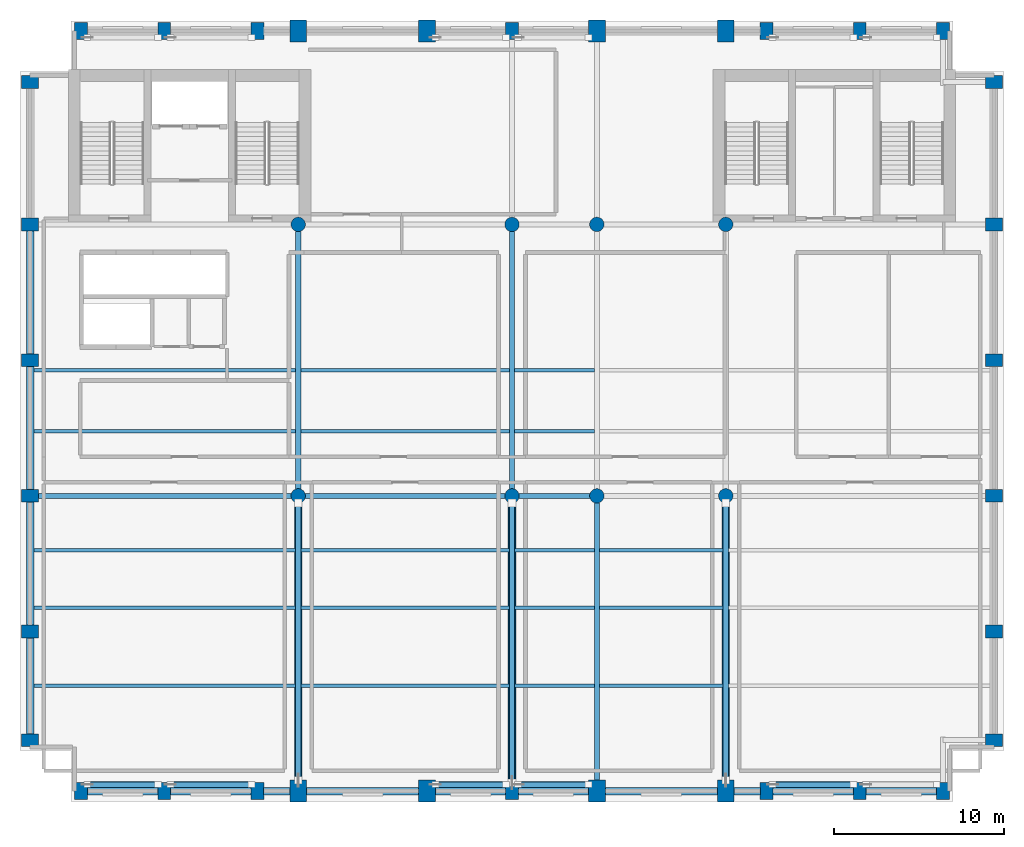
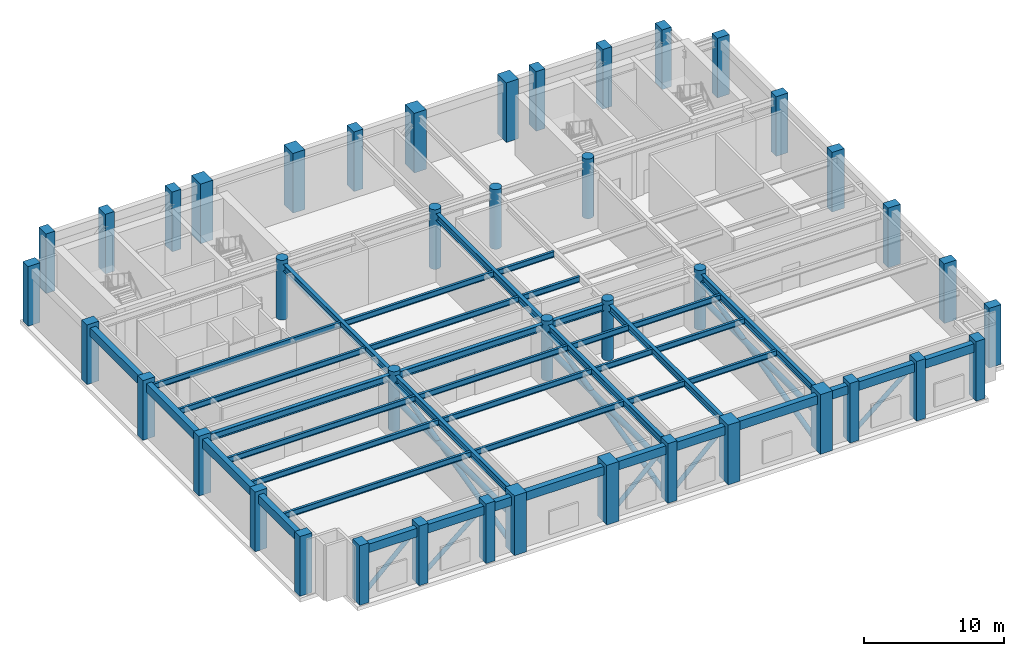
# One storey, part 1 of 11: 42 columns, 41 beams, 11 members.
"""IFC4 building model written with IfcOpenShell, lengths in metres."""

import ifcopenshell
import ifcopenshell.guid

model = None  # the IFC model being written
_history = None  # IfcOwnerHistory: only IFC2X3 demands one
_inside = {}  # id of a spatial element -> (the spatial element, [elements in it])
_under = {}  # id of a project, library or spatial element -> (it, [spatial elements below it])
_declared = {}  # id of a project -> (the project, [libraries it declares])
_typed = {}  # id of a type object -> (the type object, [elements of that type])
_made_of = {}  # id of a material, layer set ... -> (it, [elements and type objects made of it])


def new_model(schema):
    """Start an empty IFC model of exactly this schema.

    Asked for "IFC4X3", IfcOpenShell would pick the latest addendum, in which some entities
    have other attributes; the version numbers below select the first issue.
    IFC2X3 requires an IfcOwnerHistory on every rooted entity: one is made here for all.
    """
    global model, _history
    if schema == "IFC4X3":
        model = ifcopenshell.file(schema_version=(4, 3, 0, 0))
    else:
        model = ifcopenshell.file(schema=schema)
    _inside.clear()
    _under.clear()
    _declared.clear()
    _typed.clear()
    _made_of.clear()
    _history = None
    if model.schema == "IFC2X3":
        org = make("IfcOrganization", Name="unknown")
        user = make(
            "IfcPersonAndOrganization",
            ThePerson=make("IfcPerson", FamilyName="unknown"),
            TheOrganization=org,
        )
        app = make(
            "IfcApplication",
            ApplicationDeveloper=org,
            Version="unknown",
            ApplicationFullName="unknown",
            ApplicationIdentifier="unknown",
        )
        _history = make(
            "IfcOwnerHistory",
            OwningUser=user,
            OwningApplication=app,
            ChangeAction="ADDED",
            CreationDate=0,
        )
    return model


def make(cls, **values):
    """One entity of the class cls with the attributes given. An attribute that is None is left unset."""
    return model.create_entity(
        cls, **{name: value for name, value in values.items() if value is not None}
    )


def rooted(cls, **values):
    """An entity with a GlobalId (a new one), such as an element, a storey or a relation."""
    return make(cls, GlobalId=ifcopenshell.guid.new(), OwnerHistory=_history, **values)


def si_unit(unit_type, name, prefix=None):
    """IfcSIUnit, for example si_unit("LENGTHUNIT", "METRE", prefix="MILLI")."""
    return make("IfcSIUnit", UnitType=unit_type, Prefix=prefix, Name=name)


def assignment(units):
    """IfcUnitAssignment: the units of a project."""
    return None if units is None else make("IfcUnitAssignment", Units=units)


def point(xyz):
    """IfcCartesianPoint."""
    return None if xyz is None else make("IfcCartesianPoint", Coordinates=xyz)


def direction(xyz):
    """IfcDirection."""
    return None if xyz is None else make("IfcDirection", DirectionRatios=xyz)


def frame(location, z_axis=None, x_axis=None):
    """IfcAxis2Placement3D, a coordinate frame: its origin and axes. An axis left out is left unset."""
    return make(
        "IfcAxis2Placement3D",
        Location=point(location),
        Axis=direction(z_axis),
        RefDirection=direction(x_axis),
    )


def frame_2d(location, x_axis=None):
    """IfcAxis2Placement2D, a coordinate frame in the plane: its origin and x axis."""
    return make(
        "IfcAxis2Placement2D", Location=point(location), RefDirection=direction(x_axis)
    )


def origin():
    """The frame at (0, 0, 0) with its axes left unset."""
    return frame((0.0, 0.0, 0.0))


def origin_2d():
    """The frame at (0, 0) in the plane with its x axis left unset."""
    return frame_2d((0.0, 0.0))


def place(relative_to, where):
    """IfcLocalPlacement: puts the frame where relative to a parent placement (None: the world)."""
    return make(
        "IfcLocalPlacement", PlacementRelTo=relative_to, RelativePlacement=where
    )


def context(
    kind, dimensions, precision=None, world=None, true_north=None, identifier=None
):
    """IfcGeometricRepresentationContext, for example the 3D "Model" context."""
    return make(
        "IfcGeometricRepresentationContext",
        ContextIdentifier=identifier,
        ContextType=kind,
        CoordinateSpaceDimension=dimensions,
        Precision=precision,
        WorldCoordinateSystem=world,
        TrueNorth=true_north,
    )


def subcontext(parent, identifier, kind, view, scale=None):
    """IfcGeometricRepresentationSubContext, for example "Body" below "Model"."""
    return make(
        "IfcGeometricRepresentationSubContext",
        ContextIdentifier=identifier,
        ContextType=kind,
        ParentContext=parent,
        TargetScale=scale,
        TargetView=view,
    )


def project(units=None, contexts=None):
    """IfcProject with its units and contexts."""
    return rooted(
        "IfcProject",
        Name="project",
        RepresentationContexts=contexts,
        UnitsInContext=assignment(units),
    )


def spatial(cls, under=None, at=None, **own):
    """A site, building, storey or space (cls), placed at a placement, below another one or the project."""
    s = rooted(cls, ObjectPlacement=at, **own)
    if under is not None:
        _under.setdefault(under.id(), (under, []))[1].append(s)
    return s


def profile(cls, at=None, kind="AREA", **sizes):
    """A parametric profile (cls). Its sizes go by their IFC names, for example OverallWidth=200.0."""
    return make(cls, ProfileType=kind, Position=at, **sizes)


def rectangle(**sizes):
    """IfcRectangleProfileDef."""
    return profile("IfcRectangleProfileDef", **sizes)


def circle(**sizes):
    """IfcCircleProfileDef."""
    return profile("IfcCircleProfileDef", **sizes)


def hollow_circle(**sizes):
    """IfcCircleHollowProfileDef."""
    return profile("IfcCircleHollowProfileDef", **sizes)


def i_section(**sizes):
    """IfcIShapeProfileDef."""
    return profile("IfcIShapeProfileDef", **sizes)


def extrude(swept, where, along, depth):
    """IfcExtrudedAreaSolid: the profile swept, set in the frame where, extruded along a direction by depth."""
    return make(
        "IfcExtrudedAreaSolid",
        SweptArea=swept,
        Position=where,
        ExtrudedDirection=direction(along),
        Depth=depth,
    )


def shape(context_of_items, identifier, shape_type, items):
    """IfcShapeRepresentation: the items that make up one representation, for example the "Body"."""
    return make(
        "IfcShapeRepresentation",
        ContextOfItems=context_of_items,
        RepresentationIdentifier=identifier,
        RepresentationType=shape_type,
        Items=items,
    )


def material(Name=None, Category=None):
    """IfcMaterial."""
    return make("IfcMaterial", Name=Name, Category=Category)


def material_profile(
    of_material, cross_section, Name=None, Category=None, Priority=None
):
    """IfcMaterialProfile: a cross section and its material."""
    return make(
        "IfcMaterialProfile",
        Name=Name,
        Material=of_material,
        Profile=cross_section,
        Priority=Priority,
        Category=Category,
    )


def profile_set(profiles, Name=None, composite=None):
    """IfcMaterialProfileSet."""
    return make(
        "IfcMaterialProfileSet",
        Name=Name,
        MaterialProfiles=profiles,
        CompositeProfile=composite,
    )


def made_of(thing, what):
    """Note that an element or type object is made of a material, layer set ...; save() writes the relation."""
    if what is not None:
        _made_of.setdefault(what.id(), (what, []))[1].append(thing)
    return thing


def type_object(cls, material=None, **own):
    """A type object (cls), such as IfcWallType, which elements share."""
    return made_of(rooted(cls, **own), material)


def element(
    cls,
    number,
    at=None,
    inside=None,
    cuts=None,
    type_object=None,
    material=None,
    context=None,
    identifier="Body",
    shape_type=None,
    held_by="IfcProductDefinitionShape",
    body=None,
    shapes=None,
    **own,
):
    """One element of the class cls, such as IfcWall. Its Tag is "e" and its number.

    at: its placement. inside: the storey or other place that contains it. cuts: it is an
    opening in that element (IfcRelVoidsElement). A single representation is given by context,
    identifier, shape_type and body (its items); several are given by shapes. held_by: the class
    of the entity that holds the representations. save() writes the other relations.
    """
    e = rooted(cls, Tag="e%d" % number, ObjectPlacement=at, **own)
    if body is not None:
        shapes = [shape(context, identifier, shape_type, body)]
    if shapes is not None:
        e.Representation = make(held_by, Representations=shapes)
    if inside is not None:
        _inside.setdefault(inside.id(), (inside, []))[1].append(e)
    if cuts is not None:
        rooted(
            "IfcRelVoidsElement", RelatingBuildingElement=cuts, RelatedOpeningElement=e
        )
    if type_object is not None:
        _typed.setdefault(type_object.id(), (type_object, []))[1].append(e)
    return made_of(e, material)


def aggregate(whole, parts):
    """IfcRelAggregates: a whole, such as a stair, and the parts it consists of."""
    return rooted("IfcRelAggregates", RelatingObject=whole, RelatedObjects=parts)


def save(model, path):
    """Write the relations noted so far, then the file.

    IfcRelAggregates (storeys below a building ...), IfcRelContainedInSpatialStructure (elements
    in a storey), IfcRelDefinesByType, IfcRelAssociatesMaterial and IfcRelDeclares: one each for
    every whole, place, type object, material and project.
    """
    for whole, parts in _under.values():
        aggregate(whole, parts)
    for where, things in _inside.values():
        rooted(
            "IfcRelContainedInSpatialStructure",
            RelatedElements=things,
            RelatingStructure=where,
        )
    for kind, things in _typed.values():
        rooted("IfcRelDefinesByType", RelatedObjects=things, RelatingType=kind)
    for what, things in _made_of.values():
        rooted("IfcRelAssociatesMaterial", RelatedObjects=things, RelatingMaterial=what)
    for by, libraries in _declared.values():
        rooted("IfcRelDeclares", RelatingContext=by, RelatedDefinitions=libraries)
    model.write(path)


model = new_model("IFC4")

# Units and contexts
model_context = context("Model", 3, precision=1e-05, world=origin(), true_north=direction((0.0, 1.0)))
body_context = subcontext(model_context, "Body", "Model", "MODEL_VIEW")
ifc_project = project(units=[si_unit("LENGTHUNIT", "METRE"), si_unit("AREAUNIT", "SQUARE_METRE"), si_unit("VOLUMEUNIT", "CUBIC_METRE"), si_unit("PLANEANGLEUNIT", "RADIAN"), si_unit("MASSUNIT", "GRAM", prefix="KILO")], contexts=[model_context])

# Site, building, storey
site_placement = place(None, origin())
site = spatial("IfcSite", under=ifc_project, at=site_placement, CompositionType="ELEMENT")
building_placement = place(site_placement, origin())
building = spatial("IfcBuilding", under=site, at=building_placement, Name="Sulina Concourse Tower", CompositionType="ELEMENT")
storey_placement = place(building_placement, frame((0.0, 0.0, 238.60009765625)))
storey = spatial("IfcBuildingStorey", under=building, at=storey_placement, Name="L58", CompositionType="ELEMENT", Elevation=238.60009765625)

# Columns
ifc_material_1 = material(Name="Precast concrete C50/60", Category="concrete")
ifc_material_profile_1 = material_profile(ifc_material_1, rectangle(XDim=0.75, YDim=1.0, at=origin_2d()), Name="PC 750x1000")
ifc_profile_set_1 = profile_set([ifc_material_profile_1], Name="Precast concrete C50/60")
column_type_1 = type_object("IfcColumnType", Name="Precast Tube Pier Zone 4 750x1000", PredefinedType="COLUMN", material=ifc_profile_set_1)
for number, where, z_axis, x_axis, name in (
    (1, (3.60009765625, 0.60009765625, 0.0), (0.0, 0.0, 1.0), (1.0, 0.0, 0.0), "L58 structural column TP-S-36"),
    (2, (3.60009765625, 45.39990234375, 0.0), (0.0, 0.0, 1.0), (1.0, 0.0, 0.0), "L58 structural column TP-N-36"),
    (3, (8.5, 0.60009765625, 0.0), (0.0, 0.0, 1.0), (1.0, 0.0, 0.0), "L58 structural column TP-S-85"),
    (4, (8.5, 45.39990234375, 0.0), (0.0, 0.0, 1.0), (1.0, 0.0, 0.0), "L58 structural column TP-N-85"),
    (5, (14.0, 0.60009765625, 0.0), (0.0, 0.0, 1.0), (1.0, 0.0, 0.0), "L58 structural column TP-S-140"),
    (6, (14.0, 45.39990234375, 0.0), (0.0, 0.0, 1.0), (1.0, 0.0, 0.0), "L58 structural column TP-N-140"),
    (7, (29.0, 0.60009765625, 0.0), (0.0, 0.0, 1.0), (1.0, 0.0, 0.0), "L58 structural column TP-S-290"),
    (8, (29.0, 45.39990234375, 0.0), (0.0, 0.0, 1.0), (1.0, 0.0, 0.0), "L58 structural column TP-N-290"),
    (9, (44.0, 0.60009765625, 0.0), (0.0, 0.0, 1.0), (1.0, 0.0, 0.0), "L58 structural column TP-S-440"),
    (10, (44.0, 45.39990234375, 0.0), (0.0, 0.0, 1.0), (1.0, 0.0, 0.0), "L58 structural column TP-N-440"),
    (11, (49.5, 0.60009765625, 0.0), (0.0, 0.0, 1.0), (1.0, 0.0, 0.0), "L58 structural column TP-S-495"),
    (12, (49.5, 45.39990234375, 0.0), (0.0, 0.0, 1.0), (1.0, 0.0, 0.0), "L58 structural column TP-N-495"),
    (13, (54.39990234375, 0.60009765625, 0.0), (0.0, 0.0, 1.0), (1.0, 0.0, 0.0), "L58 structural column TP-S-544"),
    (14, (54.39990234375, 45.39990234375, 0.0), (0.0, 0.0, 1.0), (1.0, 0.0, 0.0), "L58 structural column TP-N-544"),
    (15, (0.60009765625, 3.60009765625, 0.0), (0.0, 0.0, 1.0), (0.0, 1.0, 0.0), "L58 structural column TP-W-36"),
    (16, (57.39990234375, 3.60009765625, 0.0), (0.0, 0.0, 1.0), (0.0, 1.0, 0.0), "L58 structural column TP-E-36"),
    (17, (0.60009765625, 10.0, 0.0), (0.0, 0.0, 1.0), (0.0, 1.0, 0.0), "L58 structural column TP-W-100"),
    (18, (57.39990234375, 10.0, 0.0), (0.0, 0.0, 1.0), (0.0, 1.0, 0.0), "L58 structural column TP-E-100"),
    (19, (0.60009765625, 18.0, 0.0), (0.0, 0.0, 1.0), (0.0, 1.0, 0.0), "L58 structural column TP-W-180"),
    (20, (57.39990234375, 18.0, 0.0), (0.0, 0.0, 1.0), (0.0, 1.0, 0.0), "L58 structural column TP-E-180"),
    (21, (0.60009765625, 26.0, 0.0), (0.0, 0.0, 1.0), (0.0, 1.0, 0.0), "L58 structural column TP-W-260"),
    (22, (57.39990234375, 26.0, 0.0), (0.0, 0.0, 1.0), (0.0, 1.0, 0.0), "L58 structural column TP-E-260"),
    (23, (0.60009765625, 34.0, 0.0), (0.0, 0.0, 1.0), (0.0, 1.0, 0.0), "L58 structural column TP-W-340"),
    (24, (57.39990234375, 34.0, 0.0), (0.0, 0.0, 1.0), (0.0, 1.0, 0.0), "L58 structural column TP-E-340"),
    (25, (0.60009765625, 42.39990234375, 0.0), (0.0, 0.0, 1.0), (0.0, 1.0, 0.0), "L58 structural column TP-W-424"),
    (26, (57.39990234375, 42.39990234375, 0.0), (0.0, 0.0, 1.0), (0.0, 1.0, 0.0), "L58 structural column TP-E-424"),
):
    element("IfcColumn", number, at=place(storey_placement, frame(where, z_axis=z_axis, x_axis=x_axis)), inside=storey, type_object=column_type_1, Name=name, PredefinedType="COLUMN", context=body_context, shape_type="SweptSolid", body=[
        extrude(rectangle(XDim=0.75, YDim=1.0, at=origin_2d()), origin(), (0.0, 0.0, 1.0), 5.199951171875),
    ])
ifc_material_2 = material(Name="Concrete C50/60", Category="concrete")
ifc_material_profile_2 = material_profile(ifc_material_2, circle(Radius=0.425048828125, at=origin_2d()), Name="RC D850")
ifc_profile_set_2 = profile_set([ifc_material_profile_2], Name="Concrete C50/60")
column_type_2 = type_object("IfcColumnType", Name="Upper Interior Circular Column D850", PredefinedType="COLUMN", material=ifc_profile_set_2)
for number, where, z_axis, x_axis, name in (
    (27, (16.39990234375, 18.0, 0.0), (0.0, 0.0, 1.0), (1.0, 0.0, 0.0), "L58 structural column IC-M-164"),
    (28, (16.39990234375, 34.0, 0.0), (0.0, 0.0, 1.0), (1.0, 0.0, 0.0), "L58 structural column IC-N-164"),
    (29, (29.0, 18.0, 0.0), (0.0, 0.0, 1.0), (1.0, 0.0, 0.0), "L58 structural column IC-M-290"),
    (30, (29.0, 34.0, 0.0), (0.0, 0.0, 1.0), (1.0, 0.0, 0.0), "L58 structural column IC-N-290"),
    (31, (41.60009765625, 18.0, 0.0), (0.0, 0.0, 1.0), (1.0, 0.0, 0.0), "L58 structural column IC-M-416"),
    (32, (41.60009765625, 34.0, 0.0), (0.0, 0.0, 1.0), (1.0, 0.0, 0.0), "L58 structural column IC-N-416"),
    (33, (34.0, 18.0, 0.0), (0.0, 0.0, 1.0), (1.0, 0.0, 0.0), "L58 structural column IC-M-340"),
    (34, (34.0, 34.0, 0.0), (0.0, 0.0, 1.0), (1.0, 0.0, 0.0), "L58 structural column IC-N-340"),
):
    element("IfcColumn", number, at=place(storey_placement, frame(where, z_axis=z_axis, x_axis=x_axis)), inside=storey, type_object=column_type_2, Name=name, PredefinedType="COLUMN", context=body_context, shape_type="SweptSolid", body=[
        extrude(circle(Radius=0.425048828125, at=origin_2d()), origin(), (0.0, 0.0, 1.0), 5.199951171875),
    ])
ifc_material_3 = material(Name="Concrete C60/75", Category="concrete")
ifc_material_profile_3 = material_profile(ifc_material_3, rectangle(XDim=1.0, YDim=1.300048828125, at=origin_2d()), Name="RC 1000x1300")
ifc_profile_set_3 = profile_set([ifc_material_profile_3], Name="Concrete C60/75")
column_type_3 = type_object("IfcColumnType", Name="Upper Portal Column 1000x1300", PredefinedType="COLUMN", material=ifc_profile_set_3)
for number, where, z_axis, x_axis, name in (
    (35, (16.39990234375, 0.60009765625, 0.0), (0.0, 0.0, 1.0), (1.0, 0.0, 0.0), "L58 structural column TP-S-164"),
    (36, (16.39990234375, 45.39990234375, 0.0), (0.0, 0.0, 1.0), (1.0, 0.0, 0.0), "L58 structural column TP-N-164"),
    (37, (24.0, 0.60009765625, 0.0), (0.0, 0.0, 1.0), (1.0, 0.0, 0.0), "L58 structural column TP-S-240"),
    (38, (24.0, 45.39990234375, 0.0), (0.0, 0.0, 1.0), (1.0, 0.0, 0.0), "L58 structural column TP-N-240"),
    (39, (34.0, 0.60009765625, 0.0), (0.0, 0.0, 1.0), (1.0, 0.0, 0.0), "L58 structural column TP-S-340"),
    (40, (34.0, 45.39990234375, 0.0), (0.0, 0.0, 1.0), (1.0, 0.0, 0.0), "L58 structural column TP-N-340"),
    (41, (41.60009765625, 0.60009765625, 0.0), (0.0, 0.0, 1.0), (1.0, 0.0, 0.0), "L58 structural column TP-S-416"),
    (42, (41.60009765625, 45.39990234375, 0.0), (0.0, 0.0, 1.0), (1.0, 0.0, 0.0), "L58 structural column TP-N-416"),
):
    element("IfcColumn", number, at=place(storey_placement, frame(where, z_axis=z_axis, x_axis=x_axis)), inside=storey, type_object=column_type_3, Name=name, PredefinedType="COLUMN", context=body_context, shape_type="SweptSolid", body=[
        extrude(rectangle(XDim=1.0, YDim=1.300048828125, at=origin_2d()), origin(), (0.0, 0.0, 1.0), 5.199951171875),
    ])

# Members
ifc_material_4 = material(Name="Steel S355", Category="steel")
ifc_material_profile_4 = material_profile(ifc_material_4, hollow_circle(Radius=0.177734375, WallThickness=0.01416015625, at=origin_2d()), Name="CHS 355.6x14.2")
ifc_profile_set_4 = profile_set([ifc_material_profile_4], Name="Steel S355")
member_type_1 = type_object("IfcMemberType", Name="Belt Truss Diagonal Brace CHS355.6x14.2", PredefinedType="BRACE", material=ifc_profile_set_4)
member_1_placement = place(storey_placement, frame((3.965087890625, 0.97998046875, 0.14990234375), z_axis=(0.724257921482, 0.0, 0.689529160493), x_axis=(0.0, 1.0, 0.0)))
element("IfcMember", 43, at=member_1_placement, inside=storey, type_object=member_type_1, Name="BLT-S1-L58", PredefinedType="BRACE", context=body_context, shape_type="SweptSolid", body=[
    extrude(hollow_circle(Radius=0.177734375, WallThickness=0.01416015625, at=origin_2d()), origin(), (0.0, 0.0, 1.0), 5.757568359375),
])
member_2_placement = place(storey_placement, frame((8.864990234375, 0.97998046875, 0.14990234375), z_axis=(0.768620976884, 0.0, 0.639704458241), x_axis=(0.0, 1.0, 0.0)))
element("IfcMember", 44, at=member_2_placement, inside=storey, type_object=member_type_1, Name="BLT-S2-L58", PredefinedType="BRACE", context=body_context, shape_type="SweptSolid", body=[
    extrude(hollow_circle(Radius=0.177734375, WallThickness=0.01416015625, at=origin_2d()), origin(), (0.0, 0.0, 1.0), 6.2060546875),
])
for number, where, z_axis, x_axis, name in (
    (45, (24.489990234375, 0.97998046875, 0.14990234375), (0.722191812128, 0.0, 0.691692841148), (0.0, 1.0, 0.0), "BLT-S3-L58"),
    (46, (29.364990234375, 0.97998046875, 0.14990234375), (0.722191812128, 0.0, 0.691692841148), (0.0, 1.0, 0.0), "BLT-S4-L58"),
):
    element("IfcMember", number, at=place(storey_placement, frame(where, z_axis=z_axis, x_axis=x_axis)), inside=storey, type_object=member_type_1, Name=name, PredefinedType="BRACE", context=body_context, shape_type="SweptSolid", body=[
        extrude(hollow_circle(Radius=0.177734375, WallThickness=0.01416015625, at=origin_2d()), origin(), (0.0, 0.0, 1.0), 5.739501953125),
    ])
member_3_placement = place(storey_placement, frame((44.364990234375, 0.97998046875, 0.14990234375), z_axis=(0.768620976884, 0.0, 0.639704458241), x_axis=(0.0, 1.0, 0.0)))
element("IfcMember", 47, at=member_3_placement, inside=storey, type_object=member_type_1, Name="BLT-S5-L58", PredefinedType="BRACE", context=body_context, shape_type="SweptSolid", body=[
    extrude(hollow_circle(Radius=0.177734375, WallThickness=0.01416015625, at=origin_2d()), origin(), (0.0, 0.0, 1.0), 6.2060546875),
])

# Beams
ifc_material_5 = material(Name="Steel S355", Category="steel")
ifc_material_profile_5 = material_profile(ifc_material_5, i_section(OverallWidth=0.199951171875, OverallDepth=0.5, WebThickness=0.01025390625, FlangeThickness=0.01611328125, at=origin_2d()), Name="IPE 500")
ifc_profile_set_5 = profile_set([ifc_material_profile_5], Name="Steel S355")
beam_type_1 = type_object("IfcBeamType", Name="Composite Floor Joist IPE500", PredefinedType="JOIST", material=ifc_profile_set_5)
beam_1_placement = place(storey_placement, frame((0.824951171875, 6.800048828125, 4.60986328125), z_axis=(1.0, 0.0, 0.0), x_axis=(0.0, 1.0, 0.0)))
element("IfcBeam", 48, at=beam_1_placement, inside=storey, type_object=beam_type_1, Name="FJ-J06-1-L58", PredefinedType="JOIST", context=body_context, shape_type="SweptSolid", body=[
    extrude(i_section(OverallWidth=0.199951171875, OverallDepth=0.5, WebThickness=0.01025390625, FlangeThickness=0.01611328125, at=origin_2d()), origin(), (0.0, 0.0, 1.0), 15.425048828125),
])
beam_2_placement = place(storey_placement, frame((16.550048828125, 6.800048828125, 4.60986328125), z_axis=(1.0, 0.0, 0.0), x_axis=(0.0, 1.0, 0.0)))
element("IfcBeam", 49, at=beam_2_placement, inside=storey, type_object=beam_type_1, Name="FJ-J06-2-L58", PredefinedType="JOIST", context=body_context, shape_type="SweptSolid", body=[
    extrude(i_section(OverallWidth=0.199951171875, OverallDepth=0.5, WebThickness=0.01025390625, FlangeThickness=0.01611328125, at=origin_2d()), origin(), (0.0, 0.0, 1.0), 12.300048828125),
])
beam_3_placement = place(storey_placement, frame((29.14990234375, 6.800048828125, 4.60986328125), z_axis=(1.0, 0.0, 0.0), x_axis=(0.0, 1.0, 0.0)))
element("IfcBeam", 50, at=beam_3_placement, inside=storey, type_object=beam_type_1, Name="FJ-J06-3-L58", PredefinedType="JOIST", context=body_context, shape_type="SweptSolid", body=[
    extrude(i_section(OverallWidth=0.199951171875, OverallDepth=0.5, WebThickness=0.01025390625, FlangeThickness=0.01611328125, at=origin_2d()), origin(), (0.0, 0.0, 1.0), 4.7001953125),
])
beam_4_placement = place(storey_placement, frame((34.14990234375, 6.800048828125, 4.60986328125), z_axis=(1.0, 0.0, 0.0), x_axis=(0.0, 1.0, 0.0)))
element("IfcBeam", 51, at=beam_4_placement, inside=storey, type_object=beam_type_1, Name="FJ-J06-4-L58", PredefinedType="JOIST", context=body_context, shape_type="SweptSolid", body=[
    extrude(i_section(OverallWidth=0.199951171875, OverallDepth=0.5, WebThickness=0.01025390625, FlangeThickness=0.01611328125, at=origin_2d()), origin(), (0.0, 0.0, 1.0), 7.300048828125),
])
beam_5_placement = place(storey_placement, frame((0.824951171875, 11.39990234375, 4.60986328125), z_axis=(1.0, 0.0, 0.0), x_axis=(0.0, 1.0, 0.0)))
element("IfcBeam", 52, at=beam_5_placement, inside=storey, type_object=beam_type_1, Name="FJ-J11-1-L58", PredefinedType="JOIST", context=body_context, shape_type="SweptSolid", body=[
    extrude(i_section(OverallWidth=0.199951171875, OverallDepth=0.5, WebThickness=0.01025390625, FlangeThickness=0.01611328125, at=origin_2d()), origin(), (0.0, 0.0, 1.0), 15.425048828125),
])
beam_6_placement = place(storey_placement, frame((16.550048828125, 11.39990234375, 4.60986328125), z_axis=(1.0, 0.0, 0.0), x_axis=(0.0, 1.0, 0.0)))
element("IfcBeam", 53, at=beam_6_placement, inside=storey, type_object=beam_type_1, Name="FJ-J11-2-L58", PredefinedType="JOIST", context=body_context, shape_type="SweptSolid", body=[
    extrude(i_section(OverallWidth=0.199951171875, OverallDepth=0.5, WebThickness=0.01025390625, FlangeThickness=0.01611328125, at=origin_2d()), origin(), (0.0, 0.0, 1.0), 12.300048828125),
])
beam_7_placement = place(storey_placement, frame((29.14990234375, 11.39990234375, 4.60986328125), z_axis=(1.0, 0.0, 0.0), x_axis=(0.0, 1.0, 0.0)))
element("IfcBeam", 54, at=beam_7_placement, inside=storey, type_object=beam_type_1, Name="FJ-J11-3-L58", PredefinedType="JOIST", context=body_context, shape_type="SweptSolid", body=[
    extrude(i_section(OverallWidth=0.199951171875, OverallDepth=0.5, WebThickness=0.01025390625, FlangeThickness=0.01611328125, at=origin_2d()), origin(), (0.0, 0.0, 1.0), 4.7001953125),
])
beam_8_placement = place(storey_placement, frame((34.14990234375, 11.39990234375, 4.60986328125), z_axis=(1.0, 0.0, 0.0), x_axis=(0.0, 1.0, 0.0)))
element("IfcBeam", 55, at=beam_8_placement, inside=storey, type_object=beam_type_1, Name="FJ-J11-4-L58", PredefinedType="JOIST", context=body_context, shape_type="SweptSolid", body=[
    extrude(i_section(OverallWidth=0.199951171875, OverallDepth=0.5, WebThickness=0.01025390625, FlangeThickness=0.01611328125, at=origin_2d()), origin(), (0.0, 0.0, 1.0), 7.300048828125),
])
beam_9_placement = place(storey_placement, frame((0.824951171875, 14.800048828125, 4.60986328125), z_axis=(1.0, 0.0, 0.0), x_axis=(0.0, 1.0, 0.0)))
element("IfcBeam", 56, at=beam_9_placement, inside=storey, type_object=beam_type_1, Name="FJ-J15-1-L58", PredefinedType="JOIST", context=body_context, shape_type="SweptSolid", body=[
    extrude(i_section(OverallWidth=0.199951171875, OverallDepth=0.5, WebThickness=0.01025390625, FlangeThickness=0.01611328125, at=origin_2d()), origin(), (0.0, 0.0, 1.0), 15.425048828125),
])
beam_10_placement = place(storey_placement, frame((16.550048828125, 14.800048828125, 4.60986328125), z_axis=(1.0, 0.0, 0.0), x_axis=(0.0, 1.0, 0.0)))
element("IfcBeam", 57, at=beam_10_placement, inside=storey, type_object=beam_type_1, Name="FJ-J15-2-L58", PredefinedType="JOIST", context=body_context, shape_type="SweptSolid", body=[
    extrude(i_section(OverallWidth=0.199951171875, OverallDepth=0.5, WebThickness=0.01025390625, FlangeThickness=0.01611328125, at=origin_2d()), origin(), (0.0, 0.0, 1.0), 12.300048828125),
])
beam_11_placement = place(storey_placement, frame((29.14990234375, 14.800048828125, 4.60986328125), z_axis=(1.0, 0.0, 0.0), x_axis=(0.0, 1.0, 0.0)))
element("IfcBeam", 58, at=beam_11_placement, inside=storey, type_object=beam_type_1, Name="FJ-J15-3-L58", PredefinedType="JOIST", context=body_context, shape_type="SweptSolid", body=[
    extrude(i_section(OverallWidth=0.199951171875, OverallDepth=0.5, WebThickness=0.01025390625, FlangeThickness=0.01611328125, at=origin_2d()), origin(), (0.0, 0.0, 1.0), 4.7001953125),
])
beam_12_placement = place(storey_placement, frame((34.14990234375, 14.800048828125, 4.60986328125), z_axis=(1.0, 0.0, 0.0), x_axis=(0.0, 1.0, 0.0)))
element("IfcBeam", 59, at=beam_12_placement, inside=storey, type_object=beam_type_1, Name="FJ-J15-4-L58", PredefinedType="JOIST", context=body_context, shape_type="SweptSolid", body=[
    extrude(i_section(OverallWidth=0.199951171875, OverallDepth=0.5, WebThickness=0.01025390625, FlangeThickness=0.01611328125, at=origin_2d()), origin(), (0.0, 0.0, 1.0), 7.300048828125),
])
beam_13_placement = place(storey_placement, frame((0.824951171875, 21.800048828125, 4.60986328125), z_axis=(1.0, 0.0, 0.0), x_axis=(0.0, 1.0, 0.0)))
element("IfcBeam", 60, at=beam_13_placement, inside=storey, type_object=beam_type_1, Name="FJ-J22-1-L58", PredefinedType="JOIST", context=body_context, shape_type="SweptSolid", body=[
    extrude(i_section(OverallWidth=0.199951171875, OverallDepth=0.5, WebThickness=0.01025390625, FlangeThickness=0.01611328125, at=origin_2d()), origin(), (0.0, 0.0, 1.0), 15.425048828125),
])
beam_14_placement = place(storey_placement, frame((16.550048828125, 21.800048828125, 4.60986328125), z_axis=(1.0, 0.0, 0.0), x_axis=(0.0, 1.0, 0.0)))
element("IfcBeam", 61, at=beam_14_placement, inside=storey, type_object=beam_type_1, Name="FJ-J22-2-L58", PredefinedType="JOIST", context=body_context, shape_type="SweptSolid", body=[
    extrude(i_section(OverallWidth=0.199951171875, OverallDepth=0.5, WebThickness=0.01025390625, FlangeThickness=0.01611328125, at=origin_2d()), origin(), (0.0, 0.0, 1.0), 12.300048828125),
])
beam_15_placement = place(storey_placement, frame((29.14990234375, 21.800048828125, 4.60986328125), z_axis=(1.0, 0.0, 0.0), x_axis=(0.0, 1.0, 0.0)))
element("IfcBeam", 62, at=beam_15_placement, inside=storey, type_object=beam_type_1, Name="FJ-J22-3-L58", PredefinedType="JOIST", context=body_context, shape_type="SweptSolid", body=[
    extrude(i_section(OverallWidth=0.199951171875, OverallDepth=0.5, WebThickness=0.01025390625, FlangeThickness=0.01611328125, at=origin_2d()), origin(), (0.0, 0.0, 1.0), 4.7001953125),
])
beam_16_placement = place(storey_placement, frame((0.824951171875, 25.39990234375, 4.60986328125), z_axis=(1.0, 0.0, 0.0), x_axis=(0.0, 1.0, 0.0)))
element("IfcBeam", 63, at=beam_16_placement, inside=storey, type_object=beam_type_1, Name="FJ-J25-1-L58", PredefinedType="JOIST", context=body_context, shape_type="SweptSolid", body=[
    extrude(i_section(OverallWidth=0.199951171875, OverallDepth=0.5, WebThickness=0.01025390625, FlangeThickness=0.01611328125, at=origin_2d()), origin(), (0.0, 0.0, 1.0), 15.425048828125),
])
beam_17_placement = place(storey_placement, frame((16.550048828125, 25.39990234375, 4.60986328125), z_axis=(1.0, 0.0, 0.0), x_axis=(0.0, 1.0, 0.0)))
element("IfcBeam", 64, at=beam_17_placement, inside=storey, type_object=beam_type_1, Name="FJ-J25-2-L58", PredefinedType="JOIST", context=body_context, shape_type="SweptSolid", body=[
    extrude(i_section(OverallWidth=0.199951171875, OverallDepth=0.5, WebThickness=0.01025390625, FlangeThickness=0.01611328125, at=origin_2d()), origin(), (0.0, 0.0, 1.0), 12.300048828125),
])
beam_18_placement = place(storey_placement, frame((29.14990234375, 25.39990234375, 4.60986328125), z_axis=(1.0, 0.0, 0.0), x_axis=(0.0, 1.0, 0.0)))
element("IfcBeam", 65, at=beam_18_placement, inside=storey, type_object=beam_type_1, Name="FJ-J25-3-L58", PredefinedType="JOIST", context=body_context, shape_type="SweptSolid", body=[
    extrude(i_section(OverallWidth=0.199951171875, OverallDepth=0.5, WebThickness=0.01025390625, FlangeThickness=0.01611328125, at=origin_2d()), origin(), (0.0, 0.0, 1.0), 4.7001953125),
])
ifc_material_6 = material(Name="Steel S355", Category="steel")
ifc_material_profile_6 = material_profile(ifc_material_6, i_section(OverallWidth=0.300048828125, OverallDepth=0.60009765625, WebThickness=0.015380859375, FlangeThickness=0.030029296875, at=origin_2d()), Name="HE 600 B")
ifc_profile_set_6 = profile_set([ifc_material_profile_6], Name="Steel S355")
beam_type_2 = type_object("IfcBeamType", Name="Floor Primary Girder Zone 3 HE600B", PredefinedType="BEAM", material=ifc_profile_set_6)
beam_19_placement = place(storey_placement, frame((0.955078125, 18.0, 4.559814453125), z_axis=(1.0, 0.0, 0.0), x_axis=(0.0, 1.0, 0.0)))
element("IfcBeam", 66, at=beam_19_placement, inside=storey, type_object=beam_type_2, Name="FG-EW1-L58", PredefinedType="BEAM", context=body_context, shape_type="SweptSolid", body=[
    extrude(i_section(OverallWidth=0.300048828125, OverallDepth=0.60009765625, WebThickness=0.015380859375, FlangeThickness=0.030029296875, at=origin_2d()), origin(), (0.0, 0.0, 1.0), 15.0400390625),
])
beam_20_placement = place(storey_placement, frame((16.804931640625, 18.0, 4.559814453125), z_axis=(1.0, 0.0, 0.0), x_axis=(0.0, 1.0, 0.0)))
element("IfcBeam", 67, at=beam_20_placement, inside=storey, type_object=beam_type_2, Name="FG-EW2-L58", PredefinedType="BEAM", context=body_context, shape_type="SweptSolid", body=[
    extrude(i_section(OverallWidth=0.300048828125, OverallDepth=0.60009765625, WebThickness=0.015380859375, FlangeThickness=0.030029296875, at=origin_2d()), origin(), (0.0, 0.0, 1.0), 11.7900390625),
])
beam_21_placement = place(storey_placement, frame((29.405029296875, 18.0, 4.559814453125), z_axis=(1.0, 0.0, 0.0), x_axis=(0.0, 1.0, 0.0)))
element("IfcBeam", 68, at=beam_21_placement, inside=storey, type_object=beam_type_2, Name="FG-EW3-L58", PredefinedType="BEAM", context=body_context, shape_type="SweptSolid", body=[
    extrude(i_section(OverallWidth=0.300048828125, OverallDepth=0.60009765625, WebThickness=0.015380859375, FlangeThickness=0.030029296875, at=origin_2d()), origin(), (0.0, 0.0, 1.0), 4.18994140625),
])
beam_22_placement = place(storey_placement, frame((16.39990234375, 1.080078125, 4.559814453125), z_axis=(0.0, 1.0, 0.0), x_axis=(-1.0, 0.0, 0.0)))
element("IfcBeam", 69, at=beam_22_placement, inside=storey, type_object=beam_type_2, Name="FG-NSA-16-L58", PredefinedType="BEAM", context=body_context, shape_type="SweptSolid", body=[
    extrude(i_section(OverallWidth=0.300048828125, OverallDepth=0.60009765625, WebThickness=0.015380859375, FlangeThickness=0.030029296875, at=origin_2d()), origin(), (0.0, 0.0, 1.0), 16.514892578125),
])
beam_23_placement = place(storey_placement, frame((16.39990234375, 18.405029296875, 4.559814453125), z_axis=(0.0, 1.0, 0.0), x_axis=(-1.0, 0.0, 0.0)))
element("IfcBeam", 70, at=beam_23_placement, inside=storey, type_object=beam_type_2, Name="FG-NSB-16-L58", PredefinedType="BEAM", context=body_context, shape_type="SweptSolid", body=[
    extrude(i_section(OverallWidth=0.300048828125, OverallDepth=0.60009765625, WebThickness=0.015380859375, FlangeThickness=0.030029296875, at=origin_2d()), origin(), (0.0, 0.0, 1.0), 15.18994140625),
])
beam_24_placement = place(storey_placement, frame((29.0, 0.955078125, 4.559814453125), z_axis=(0.0, 1.0, 0.0), x_axis=(-1.0, 0.0, 0.0)))
element("IfcBeam", 71, at=beam_24_placement, inside=storey, type_object=beam_type_2, Name="FG-NSA-29-L58", PredefinedType="BEAM", context=body_context, shape_type="SweptSolid", body=[
    extrude(i_section(OverallWidth=0.300048828125, OverallDepth=0.60009765625, WebThickness=0.015380859375, FlangeThickness=0.030029296875, at=origin_2d()), origin(), (0.0, 0.0, 1.0), 16.639892578125),
])
beam_25_placement = place(storey_placement, frame((29.0, 18.405029296875, 4.559814453125), z_axis=(0.0, 1.0, 0.0), x_axis=(-1.0, 0.0, 0.0)))
element("IfcBeam", 72, at=beam_25_placement, inside=storey, type_object=beam_type_2, Name="FG-NSB-29-L58", PredefinedType="BEAM", context=body_context, shape_type="SweptSolid", body=[
    extrude(i_section(OverallWidth=0.300048828125, OverallDepth=0.60009765625, WebThickness=0.015380859375, FlangeThickness=0.030029296875, at=origin_2d()), origin(), (0.0, 0.0, 1.0), 15.18994140625),
])
for number, where, z_axis, x_axis, name in (
    (73, (34.0, 1.080078125, 4.559814453125), (0.0, 1.0, 0.0), (-1.0, 0.0, 0.0), "FG-NSA-34-L58"),
    (74, (41.60009765625, 1.080078125, 4.559814453125), (0.0, 1.0, 0.0), (-1.0, 0.0, 0.0), "FG-NSA-41-L58"),
):
    element("IfcBeam", number, at=place(storey_placement, frame(where, z_axis=z_axis, x_axis=x_axis)), inside=storey, type_object=beam_type_2, Name=name, PredefinedType="BEAM", context=body_context, shape_type="SweptSolid", body=[
        extrude(i_section(OverallWidth=0.300048828125, OverallDepth=0.60009765625, WebThickness=0.015380859375, FlangeThickness=0.030029296875, at=origin_2d()), origin(), (0.0, 0.0, 1.0), 16.514892578125),
    ])

# Members
ifc_material_7 = material(Name="Steel S355", Category="steel")
ifc_material_profile_7 = material_profile(ifc_material_7, hollow_circle(Radius=0.228515625, WallThickness=0.01611328125, at=origin_2d()), Name="CHS 457x16")
ifc_profile_set_7 = profile_set([ifc_material_profile_7], Name="Steel S355")
member_type_2 = type_object("IfcMemberType", Name="Mid & Upper Outrigger Strut CHS457x16", PredefinedType="STRUT", material=ifc_profile_set_7)
member_4_placement = place(storey_placement, frame((16.39990234375, 1.239990234375, 2.64990234375), z_axis=(0.0, 1.0, 0.0), x_axis=(-1.0, 0.0, 0.0)))
element("IfcMember", 75, at=member_4_placement, inside=storey, type_object=member_type_2, Name="OUT-ST-W1-L58", PredefinedType="STRUT", context=body_context, shape_type="SweptSolid", body=[
    extrude(hollow_circle(Radius=0.228515625, WallThickness=0.01611328125, at=origin_2d()), origin(), (0.0, 0.0, 1.0), 16.344970703125),
])
member_5_placement = place(storey_placement, frame((29.0, 1.090087890625, 2.64990234375), z_axis=(0.0, 1.0, 0.0), x_axis=(-1.0, 0.0, 0.0)))
element("IfcMember", 76, at=member_5_placement, inside=storey, type_object=member_type_2, Name="OUT-ST-M1-L58", PredefinedType="STRUT", context=body_context, shape_type="SweptSolid", body=[
    extrude(hollow_circle(Radius=0.228515625, WallThickness=0.01611328125, at=origin_2d()), origin(), (0.0, 0.0, 1.0), 16.494873046875),
])
member_6_placement = place(storey_placement, frame((41.60009765625, 1.239990234375, 2.64990234375), z_axis=(0.0, 1.0, 0.0), x_axis=(-1.0, 0.0, 0.0)))
element("IfcMember", 77, at=member_6_placement, inside=storey, type_object=member_type_2, Name="OUT-ST-E1-L58", PredefinedType="STRUT", context=body_context, shape_type="SweptSolid", body=[
    extrude(hollow_circle(Radius=0.228515625, WallThickness=0.01611328125, at=origin_2d()), origin(), (0.0, 0.0, 1.0), 16.344970703125),
])
ifc_material_8 = material(Name="Steel S355", Category="steel")
ifc_material_profile_8 = material_profile(ifc_material_8, hollow_circle(Radius=0.203125, WallThickness=0.01611328125, at=origin_2d()), Name="CHS 406.4x16")
ifc_profile_set_8 = profile_set([ifc_material_profile_8], Name="Steel S355")
member_type_3 = type_object("IfcMemberType", Name="Outrigger Diagonal Brace CHS406.4x16", PredefinedType="BRACE", material=ifc_profile_set_8)
member_7_placement = place(storey_placement, frame((16.39990234375, 1.239990234375, 0.14990234375), z_axis=(0.0, 0.97133642896, 0.237708943406), x_axis=(-1.0, 0.0, 0.0)))
element("IfcMember", 78, at=member_7_placement, inside=storey, type_object=member_type_3, Name="OUT-DG-W1-L58", PredefinedType="BRACE", context=body_context, shape_type="SweptSolid", body=[
    extrude(hollow_circle(Radius=0.203125, WallThickness=0.01611328125, at=origin_2d()), origin(), (0.0, 0.0, 1.0), 16.827392578125),
])
member_8_placement = place(storey_placement, frame((29.0, 1.090087890625, 0.14990234375), z_axis=(0.0, 0.971833336326, 0.235669188496), x_axis=(-1.0, 0.0, 0.0)))
element("IfcMember", 79, at=member_8_placement, inside=storey, type_object=member_type_3, Name="OUT-DG-M1-L58", PredefinedType="BRACE", context=body_context, shape_type="SweptSolid", body=[
    extrude(hollow_circle(Radius=0.203125, WallThickness=0.01611328125, at=origin_2d()), origin(), (0.0, 0.0, 1.0), 16.972900390625),
])
member_9_placement = place(storey_placement, frame((41.60009765625, 1.239990234375, 0.14990234375), z_axis=(0.0, 0.97133642896, 0.237708943406), x_axis=(-1.0, 0.0, 0.0)))
element("IfcMember", 80, at=member_9_placement, inside=storey, type_object=member_type_3, Name="OUT-DG-E1-L58", PredefinedType="BRACE", context=body_context, shape_type="SweptSolid", body=[
    extrude(hollow_circle(Radius=0.203125, WallThickness=0.01611328125, at=origin_2d()), origin(), (0.0, 0.0, 1.0), 16.827392578125),
])

# Beams
ifc_material_9 = material(Name="Precast concrete C50/60", Category="concrete")
ifc_material_profile_9 = material_profile(ifc_material_9, rectangle(XDim=0.449951171875, YDim=0.75, at=origin_2d()), Name="RC 450x750")
ifc_profile_set_9 = profile_set([ifc_material_profile_9], Name="Precast concrete C50/60")
beam_type_3 = type_object("IfcBeamType", Name="Upper Precast Spandrel Edge Beam 450x750", PredefinedType="BEAM", material=ifc_profile_set_9)
beam_26_placement = place(storey_placement, frame((3.955078125, 0.60009765625, 4.48486328125), z_axis=(1.0, 0.0, 0.0), x_axis=(0.0, 1.0, 0.0)))
element("IfcBeam", 81, at=beam_26_placement, inside=storey, type_object=beam_type_3, Name="SP-S1-L58", PredefinedType="BEAM", context=body_context, shape_type="SweptSolid", body=[
    extrude(rectangle(XDim=0.449951171875, YDim=0.75, at=origin_2d()), origin(), (0.0, 0.0, 1.0), 4.18994140625),
])
beam_27_placement = place(storey_placement, frame((8.85498046875, 0.60009765625, 4.48486328125), z_axis=(1.0, 0.0, 0.0), x_axis=(0.0, 1.0, 0.0)))
element("IfcBeam", 82, at=beam_27_placement, inside=storey, type_object=beam_type_3, Name="SP-S2-L58", PredefinedType="BEAM", context=body_context, shape_type="SweptSolid", body=[
    extrude(rectangle(XDim=0.449951171875, YDim=0.75, at=origin_2d()), origin(), (0.0, 0.0, 1.0), 4.7900390625),
])
beam_28_placement = place(storey_placement, frame((14.35498046875, 0.60009765625, 4.48486328125), z_axis=(1.0, 0.0, 0.0), x_axis=(0.0, 1.0, 0.0)))
element("IfcBeam", 83, at=beam_28_placement, inside=storey, type_object=beam_type_3, Name="SP-S3-L58", PredefinedType="BEAM", context=body_context, shape_type="SweptSolid", body=[
    extrude(rectangle(XDim=0.449951171875, YDim=0.75, at=origin_2d()), origin(), (0.0, 0.0, 1.0), 1.56494140625),
])
beam_29_placement = place(storey_placement, frame((16.8798828125, 0.60009765625, 4.48486328125), z_axis=(1.0, 0.0, 0.0), x_axis=(0.0, 1.0, 0.0)))
element("IfcBeam", 84, at=beam_29_placement, inside=storey, type_object=beam_type_3, Name="SP-S4-L58", PredefinedType="BEAM", context=body_context, shape_type="SweptSolid", body=[
    extrude(rectangle(XDim=0.449951171875, YDim=0.75, at=origin_2d()), origin(), (0.0, 0.0, 1.0), 6.64013671875),
])
for number, where, z_axis, x_axis, name in (
    (85, (24.47998046875, 0.60009765625, 4.48486328125), (1.0, 0.0, 0.0), (0.0, 1.0, 0.0), "SP-S5-L58"),
    (86, (29.35498046875, 0.60009765625, 4.48486328125), (1.0, 0.0, 0.0), (0.0, 1.0, 0.0), "SP-S6-L58"),
):
    element("IfcBeam", number, at=place(storey_placement, frame(where, z_axis=z_axis, x_axis=x_axis)), inside=storey, type_object=beam_type_3, Name=name, PredefinedType="BEAM", context=body_context, shape_type="SweptSolid", body=[
        extrude(rectangle(XDim=0.449951171875, YDim=0.75, at=origin_2d()), origin(), (0.0, 0.0, 1.0), 4.1650390625),
    ])
beam_30_placement = place(storey_placement, frame((34.47998046875, 0.60009765625, 4.48486328125), z_axis=(1.0, 0.0, 0.0), x_axis=(0.0, 1.0, 0.0)))
element("IfcBeam", 87, at=beam_30_placement, inside=storey, type_object=beam_type_3, Name="SP-S7-L58", PredefinedType="BEAM", context=body_context, shape_type="SweptSolid", body=[
    extrude(rectangle(XDim=0.449951171875, YDim=0.75, at=origin_2d()), origin(), (0.0, 0.0, 1.0), 6.64013671875),
])
beam_31_placement = place(storey_placement, frame((42.080078125, 0.60009765625, 4.48486328125), z_axis=(1.0, 0.0, 0.0), x_axis=(0.0, 1.0, 0.0)))
element("IfcBeam", 88, at=beam_31_placement, inside=storey, type_object=beam_type_3, Name="SP-S8-L58", PredefinedType="BEAM", context=body_context, shape_type="SweptSolid", body=[
    extrude(rectangle(XDim=0.449951171875, YDim=0.75, at=origin_2d()), origin(), (0.0, 0.0, 1.0), 1.56494140625),
])
beam_32_placement = place(storey_placement, frame((44.35498046875, 0.60009765625, 4.48486328125), z_axis=(1.0, 0.0, 0.0), x_axis=(0.0, 1.0, 0.0)))
element("IfcBeam", 89, at=beam_32_placement, inside=storey, type_object=beam_type_3, Name="SP-S9-L58", PredefinedType="BEAM", context=body_context, shape_type="SweptSolid", body=[
    extrude(rectangle(XDim=0.449951171875, YDim=0.75, at=origin_2d()), origin(), (0.0, 0.0, 1.0), 4.7900390625),
])
beam_33_placement = place(storey_placement, frame((49.85498046875, 0.60009765625, 4.48486328125), z_axis=(1.0, 0.0, 0.0), x_axis=(0.0, 1.0, 0.0)))
element("IfcBeam", 90, at=beam_33_placement, inside=storey, type_object=beam_type_3, Name="SP-S10-L58", PredefinedType="BEAM", context=body_context, shape_type="SweptSolid", body=[
    extrude(rectangle(XDim=0.449951171875, YDim=0.75, at=origin_2d()), origin(), (0.0, 0.0, 1.0), 4.18994140625),
])
beam_34_placement = place(storey_placement, frame((0.60009765625, 3.955078125, 4.48486328125), z_axis=(0.0, 1.0, 0.0), x_axis=(-1.0, 0.0, 0.0)))
element("IfcBeam", 91, at=beam_34_placement, inside=storey, type_object=beam_type_3, Name="SP-W1-L58", PredefinedType="BEAM", context=body_context, shape_type="SweptSolid", body=[
    extrude(rectangle(XDim=0.449951171875, YDim=0.75, at=origin_2d()), origin(), (0.0, 0.0, 1.0), 5.68994140625),
])
for number, where, z_axis, x_axis, name in (
    (92, (0.60009765625, 10.35498046875, 4.48486328125), (0.0, 1.0, 0.0), (-1.0, 0.0, 0.0), "SP-W2-L58"),
    (93, (0.60009765625, 18.35498046875, 4.48486328125), (0.0, 1.0, 0.0), (-1.0, 0.0, 0.0), "SP-W3-L58"),
    (94, (0.60009765625, 26.35498046875, 4.48486328125), (0.0, 1.0, 0.0), (-1.0, 0.0, 0.0), "SP-W4-L58"),
):
    element("IfcBeam", number, at=place(storey_placement, frame(where, z_axis=z_axis, x_axis=x_axis)), inside=storey, type_object=beam_type_3, Name=name, PredefinedType="BEAM", context=body_context, shape_type="SweptSolid", body=[
        extrude(rectangle(XDim=0.449951171875, YDim=0.75, at=origin_2d()), origin(), (0.0, 0.0, 1.0), 7.2900390625),
    ])

save(model, "model.ifc")
